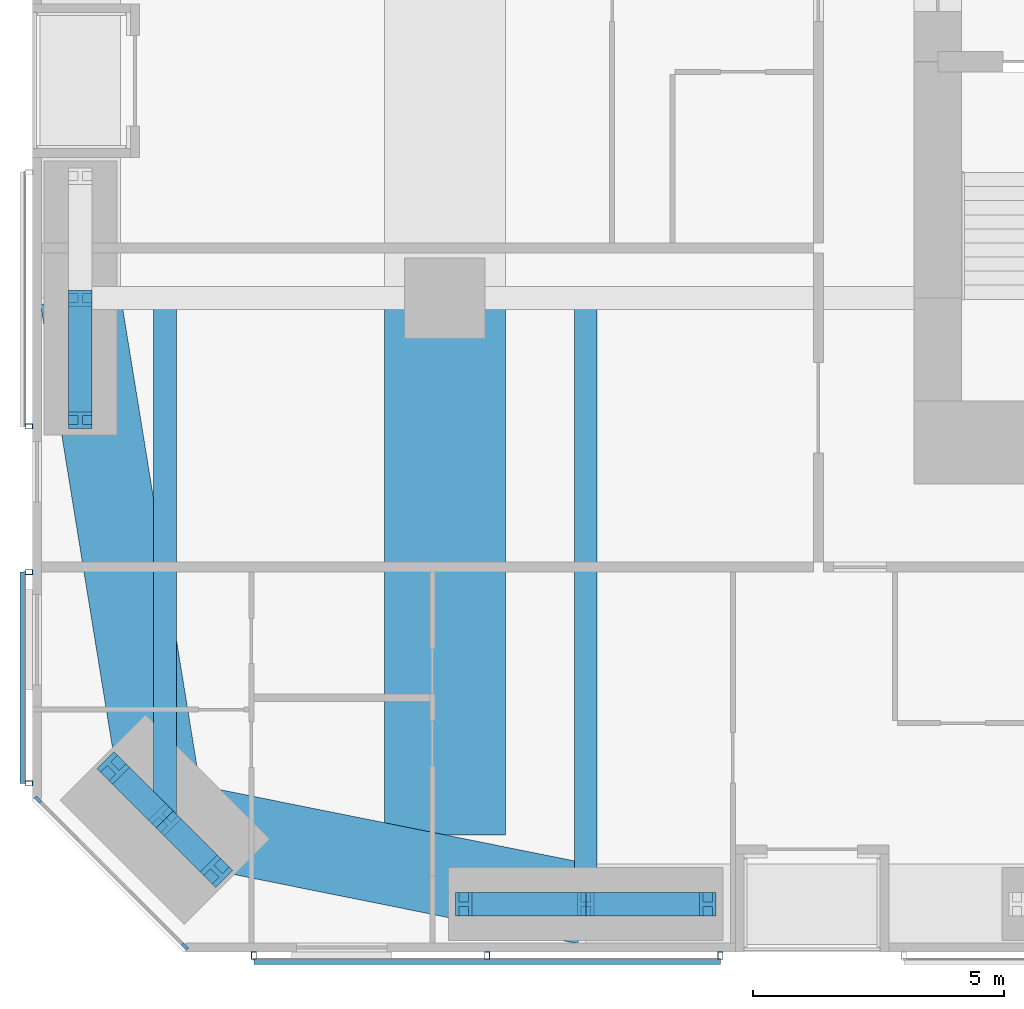
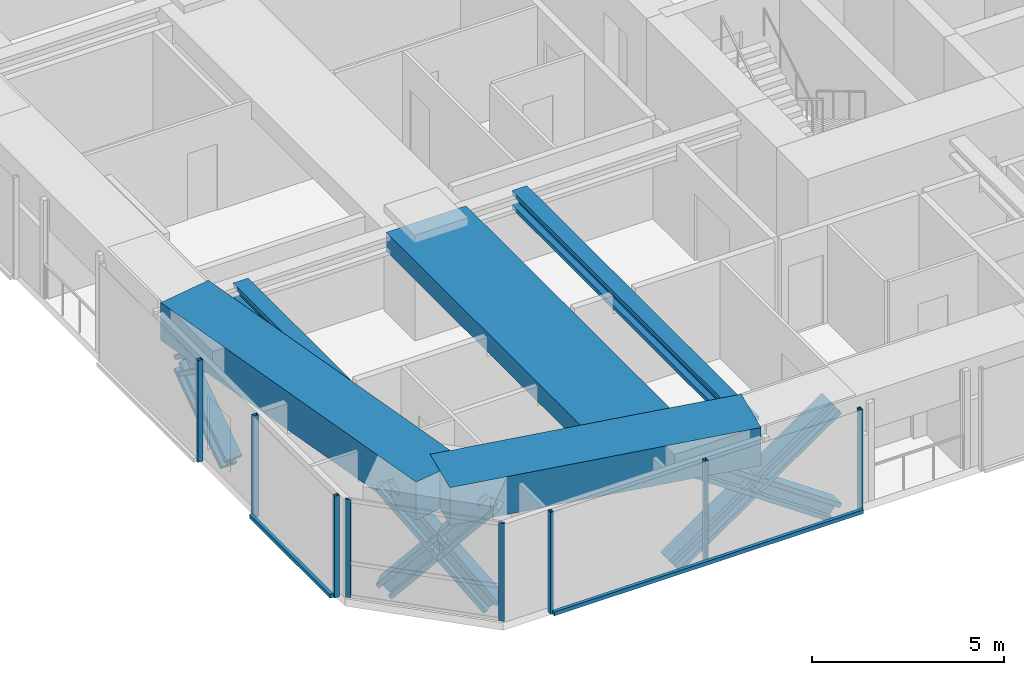
# One storey, part 2 of 23: 20 members, 5 beams, 4 elements without a shape of their own.
"""IFC4 building model written with IfcOpenShell, lengths in metres."""

from ifc_helpers import new_model, si_unit, direction, frame, origin, origin_2d, place, context, subcontext, project, spatial, rectangle, hollow_rectangle, i_section, extrude, material, material_profile, profile_set, type_object, element, aggregate, save


model = new_model("IFC4")

# Units and contexts
model_context = context("Model", 3, precision=1e-05, world=origin(), true_north=direction((0.0, 1.0)))
body_context = subcontext(model_context, "Body", "Model", "MODEL_VIEW")
ifc_project = project(units=[si_unit("LENGTHUNIT", "METRE"), si_unit("AREAUNIT", "SQUARE_METRE"), si_unit("VOLUMEUNIT", "CUBIC_METRE"), si_unit("PLANEANGLEUNIT", "RADIAN"), si_unit("MASSUNIT", "GRAM", prefix="KILO")], contexts=[model_context])

# Site, building, storey
site_placement = place(None, origin())
site = spatial("IfcSite", under=ifc_project, at=site_placement, CompositionType="ELEMENT")
building_placement = place(site_placement, origin())
building = spatial("IfcBuilding", under=site, at=building_placement, Name="Jalousie Tower", CompositionType="ELEMENT")
storey_placement = place(building_placement, frame((0.0, 0.0, 34.39990234375)))
storey = spatial("IfcBuildingStorey", under=building, at=storey_placement, Name="L08", CompositionType="ELEMENT", Elevation=34.39990234375)

# Curtain wall, members
ifc_material_1 = material(Name="Aluminium curtain wall", Category="aluminium")
curtain_wall_type_1 = type_object("IfcCurtainWallType", Name="CORNER WINDOW WALL", PredefinedType="USERDEFINED", material=ifc_material_1)
curtain_wall_1_placement = place(storey_placement, origin())
curtain_wall_1 = element("IfcCurtainWall", 1, at=curtain_wall_1_placement, inside=storey, type_object=curtain_wall_type_1, Name="Corner Window Wall L08 8", ObjectType="CORNER WINDOW WALL", PredefinedType="USERDEFINED")
ifc_material_2 = material(Name="Aluminium mullion", Category="aluminium")
ifc_material_profile_1 = material_profile(ifc_material_2, rectangle(XDim=0.06005859375, YDim=0.14990234375, at=origin_2d()), Name="MULLION 60x150")
ifc_profile_set_1 = profile_set([ifc_material_profile_1], Name="Aluminium mullion")
member_type_1 = type_object("IfcMemberType", Name="CORNER WINDOW WALL MULLION", PredefinedType="MULLION", material=ifc_profile_set_1)
member_1_placement = place(storey_placement, frame((2.108642578125, 3.030029296875, 0.0), z_axis=(0.0, 0.0, 1.0), x_axis=(0.707106781187, 0.707106781187, 0.0)))
member_1 = element("IfcMember", 2, at=member_1_placement, type_object=member_type_1, Name="CW-C mullion 1", PredefinedType="MULLION", context=body_context, shape_type="SweptSolid", body=[
    extrude(rectangle(XDim=0.06005859375, YDim=0.14990234375, at=origin_2d()), origin(), (0.0, 0.0, 1.0), 3.110107421875),
])
member_2_placement = place(storey_placement, frame((5.030029296875, 0.108642578125, 0.0), z_axis=(0.0, 0.0, 1.0), x_axis=(0.707106781187, 0.707106781187, 0.0)))
member_2 = element("IfcMember", 3, at=member_2_placement, type_object=member_type_1, Name="CW-C mullion 2", PredefinedType="MULLION", context=body_context, shape_type="SweptSolid", body=[
    extrude(rectangle(XDim=0.06005859375, YDim=0.14990234375, at=origin_2d()), origin(), (0.0, 0.0, 1.0), 3.110107421875),
])
aggregate(curtain_wall_1, [member_1, member_2])

# Beams
ifc_material_3 = material(Name="Steel ASTM A992 Grade 50", Category="steel")
ifc_material_profile_2 = material_profile(ifc_material_3, i_section(OverallWidth=0.45458984375, OverallDepth=0.569091796875, WebThickness=0.077880859375, FlangeThickness=0.124755859375, at=origin_2d()), Name="W14X730")
ifc_profile_set_2 = profile_set([ifc_material_profile_2], Name="Steel ASTM A992 Grade 50")
beam_type_1 = type_object("IfcBeamType", Name="LEAN COLLECTOR W14X730", PredefinedType="BEAM", material=ifc_profile_set_2)
beam_1_placement = place(storey_placement, frame((4.63134765625, 2.63134765625, 2.82568359375), z_axis=(0.0, 1.0, 0.0), x_axis=(-1.0, 0.0, 0.0)))
element("IfcBeam", 4, at=beam_1_placement, inside=storey, type_object=beam_type_1, Name="Lean collector under L09", PredefinedType="BEAM", context=body_context, shape_type="SweptSolid", body=[
    extrude(i_section(OverallWidth=0.45458984375, OverallDepth=0.569091796875, WebThickness=0.077880859375, FlangeThickness=0.124755859375, at=origin_2d()), origin(), (0.0, 0.0, 1.0), 10.36865234375),
])
beam_2_placement = place(storey_placement, frame((13.0, 0.949951171875, 2.82568359375), z_axis=(0.0, 1.0, 0.0), x_axis=(-1.0, 0.0, 0.0)))
element("IfcBeam", 5, at=beam_2_placement, inside=storey, type_object=beam_type_1, Name="Lean collector under L09", PredefinedType="BEAM", context=body_context, shape_type="SweptSolid", body=[
    extrude(i_section(OverallWidth=0.45458984375, OverallDepth=0.569091796875, WebThickness=0.077880859375, FlangeThickness=0.124755859375, at=origin_2d()), origin(), (0.0, 0.0, 1.0), 12.050048828125),
])

# Members
ifc_material_4 = material(Name="Steel ASTM A992 Grade 50", Category="steel")
ifc_material_profile_3 = material_profile(ifc_material_4, i_section(OverallWidth=0.472412109375, OverallDepth=0.5791015625, WebThickness=0.094970703125, FlangeThickness=0.1298828125, at=origin_2d()), Name="W14X808")
ifc_profile_set_3 = profile_set([ifc_material_profile_3], Name="Steel ASTM A992 Grade 50")
member_type_2 = type_object("IfcMemberType", Name="PERIMETER BRACE W14X808", PredefinedType="BRACE", material=ifc_profile_set_3)
for number, where, z_axis, x_axis, name in (
    (6, (3.606201171875, 3.65673828125, -0.599853515625), (0.462729793854, -0.462839993852, 0.756082189957), (0.707190965575, 0.707022586774, 0.0), "Perimeter brace 01 L08 part 1"),
    (7, (4.63134765625, 2.63134765625, 1.0751953125), (0.462878559809, -0.462768350628, 0.756034981021), (0.707022586774, 0.707190965575, 0.0), "Perimeter brace 01 L08 part 2"),
    (8, (5.65673828125, 1.606201171875, -0.599853515625), (-0.462839993852, 0.462729793854, 0.756082189957), (-0.707022586774, -0.707190965575, 0.0), "Perimeter brace 01 L08 part 3"),
    (9, (4.63134765625, 2.63134765625, 1.0751953125), (-0.462768350628, 0.462878559809, 0.756034981021), (-0.707190965575, -0.707022586774, 0.0), "Perimeter brace 01 L08 part 4"),
):
    element("IfcMember", number, at=place(storey_placement, frame(where, z_axis=z_axis, x_axis=x_axis)), inside=storey, type_object=member_type_2, Name=name, PredefinedType="BRACE", context=body_context, shape_type="SweptSolid", body=[
        extrude(i_section(OverallWidth=0.472412109375, OverallDepth=0.5791015625, WebThickness=0.094970703125, FlangeThickness=0.1298828125, at=origin_2d()), origin(), (0.0, 0.0, 1.0), 2.21533203125),
    ])
for number, where, z_axis, x_axis, name in (
    (10, (10.574951171875, 0.949951171875, -0.599853515625), (0.822800062329, 0.0, 0.568330940062), (0.0, 1.0, 0.0), "Perimeter brace 02 L08 part 1"),
    (11, (13.0, 0.949951171875, 1.0751953125), (0.82283879777, 0.0, 0.568274856811), (0.0, 1.0, 0.0), "Perimeter brace 02 L08 part 2"),
    (12, (15.425048828125, 0.949951171875, -0.599853515625), (-0.822800062329, 0.0, 0.568330940062), (0.0, -1.0, 0.0), "Perimeter brace 02 L08 part 3"),
    (13, (13.0, 0.949951171875, 1.0751953125), (-0.82283879777, 0.0, 0.568274856811), (0.0, -1.0, 0.0), "Perimeter brace 02 L08 part 4"),
    (14, (2.949951171875, 10.574951171875, -0.599853515625), (0.0, 0.822800062329, 0.568330940062), (-1.0, 0.0, 0.0), "Perimeter brace 14 L08 part 1"),
    (15, (2.949951171875, 13.0, 1.0751953125), (0.0, -0.82283879777, 0.568274856811), (1.0, 0.0, 0.0), "Perimeter brace 14 L08 part 4"),
):
    element("IfcMember", number, at=place(storey_placement, frame(where, z_axis=z_axis, x_axis=x_axis)), inside=storey, type_object=member_type_2, Name=name, PredefinedType="BRACE", context=body_context, shape_type="SweptSolid", body=[
        extrude(i_section(OverallWidth=0.472412109375, OverallDepth=0.5791015625, WebThickness=0.094970703125, FlangeThickness=0.1298828125, at=origin_2d()), origin(), (0.0, 0.0, 1.0), 2.947265625),
    ])

# Beams
ifc_material_5 = material(Name="Concrete f'c 40 MPa", Category="concrete")
ifc_material_profile_4 = material_profile(ifc_material_5, rectangle(XDim=1.60009765625, YDim=1.199951171875, at=origin_2d()), Name="RC 1600x1200")
ifc_profile_set_4 = profile_set([ifc_material_profile_4], Name="Concrete f'c 40 MPa")
beam_type_2 = type_object("IfcBeamType", Name="RC BEAM 1600x1200", PredefinedType="BEAM", material=ifc_profile_set_4)
beam_3_placement = place(storey_placement, frame((4.63134765625, 2.63134765625, 2.75), z_axis=(0.980407585444, -0.196979609107, 0.0), x_axis=(0.196979609107, 0.980407585444, 0.0)))
element("IfcBeam", 16, at=beam_3_placement, inside=storey, type_object=beam_type_2, Name="Edge band beam 01-02 under L09", PredefinedType="BEAM", context=body_context, shape_type="SweptSolid", body=[
    extrude(rectangle(XDim=1.60009765625, YDim=1.199951171875, at=origin_2d()), origin(), (0.0, 0.0, 1.0), 8.535888671875),
])
beam_4_placement = place(storey_placement, frame((2.949951171875, 13.0, 2.75), z_axis=(0.160070546476, -0.987105577003, 0.0), x_axis=(0.987105577003, 0.160070546476, 0.0)))
element("IfcBeam", 17, at=beam_4_placement, inside=storey, type_object=beam_type_2, Name="Edge band beam 14-01 under L09", PredefinedType="BEAM", context=body_context, shape_type="SweptSolid", body=[
    extrude(rectangle(XDim=1.60009765625, YDim=1.199951171875, at=origin_2d()), origin(), (0.0, 0.0, 1.0), 10.504150390625),
])
ifc_material_6 = material(Name="Concrete f'c 40 MPa", Category="concrete")
ifc_material_profile_5 = material_profile(ifc_material_6, rectangle(XDim=2.39990234375, YDim=0.60009765625, at=origin_2d()), Name="RC 2400x600")
ifc_profile_set_5 = profile_set([ifc_material_profile_5], Name="Concrete f'c 40 MPa")
beam_type_3 = type_object("IfcBeamType", Name="RC BEAM 2400x600", PredefinedType="BEAM", material=ifc_profile_set_5)
beam_5_placement = place(storey_placement, frame((10.199951171875, 13.0, 2.81005859375), z_axis=(0.0, -1.0, 0.0), x_axis=(1.0, 0.0, 0.0)))
element("IfcBeam", 18, at=beam_5_placement, inside=storey, type_object=beam_type_3, Name="Floor band beam under L09", PredefinedType="BEAM", context=body_context, shape_type="SweptSolid", body=[
    extrude(rectangle(XDim=2.39990234375, YDim=0.60009765625, at=origin_2d()), origin(), (0.0, 0.0, 1.0), 10.67138671875),
])

# Curtain wall, members
ifc_material_7 = material(Name="Perforated aluminium sheet", Category="aluminium")
curtain_wall_type_2 = type_object("IfcCurtainWallType", Name="SOLAR SCREEN SS-1", PredefinedType="USERDEFINED", material=ifc_material_7)
curtain_wall_2_placement = place(storey_placement, origin())
curtain_wall_2 = element("IfcCurtainWall", 19, at=curtain_wall_2_placement, inside=storey, type_object=curtain_wall_type_2, Name="Solar screen L08", ObjectType="SOLAR SCREEN SS-1", PredefinedType="USERDEFINED")
ifc_material_8 = material(Name="Steel ASTM A500 Grade C", Category="steel")
ifc_material_profile_6 = material_profile(ifc_material_8, hollow_rectangle(XDim=0.1015625, YDim=0.15234375, WallThickness=0.00634765625, at=origin_2d()), Name="HSS6X4X1/4")
ifc_profile_set_6 = profile_set([ifc_material_profile_6], Name="Steel ASTM A500 Grade C")
member_type_3 = type_object("IfcMemberType", Name="SOLAR SCREEN SS-1 MULLION", PredefinedType="MULLION", material=ifc_profile_set_6)
member_3_placement = place(storey_placement, frame((6.39990234375, -0.0712890625, -0.119873046875), z_axis=(0.0, 0.0, 1.0), x_axis=(1.0, 0.0, 0.0)))
member_3 = element("IfcMember", 20, at=member_3_placement, type_object=member_type_3, Name="SS1 post 1", PredefinedType="MULLION", context=body_context, shape_type="SweptSolid", body=[
    extrude(hollow_rectangle(XDim=0.1015625, YDim=0.15234375, WallThickness=0.00634765625, at=origin_2d()), origin(), (0.0, 0.0, 1.0), 3.22998046875),
])
member_4_placement = place(storey_placement, frame((11.03759765625, -0.0712890625, -0.119873046875), z_axis=(0.0, 0.0, 1.0), x_axis=(1.0, 0.0, 0.0)))
member_4 = element("IfcMember", 21, at=member_4_placement, type_object=member_type_3, Name="SS1 post 2", PredefinedType="MULLION", context=body_context, shape_type="SweptSolid", body=[
    extrude(hollow_rectangle(XDim=0.1015625, YDim=0.15234375, WallThickness=0.00634765625, at=origin_2d()), origin(), (0.0, 0.0, 1.0), 3.22998046875),
])
member_5_placement = place(storey_placement, frame((15.675048828125, -0.0712890625, -0.119873046875), z_axis=(0.0, 0.0, 1.0), x_axis=(1.0, 0.0, 0.0)))
member_5 = element("IfcMember", 22, at=member_5_placement, type_object=member_type_3, Name="SS1 post 3", PredefinedType="MULLION", context=body_context, shape_type="SweptSolid", body=[
    extrude(hollow_rectangle(XDim=0.1015625, YDim=0.15234375, WallThickness=0.00634765625, at=origin_2d()), origin(), (0.0, 0.0, 1.0), 3.22998046875),
])

# Curtain wall, member
curtain_wall_3_placement = place(storey_placement, origin())
curtain_wall_3 = element("IfcCurtainWall", 23, at=curtain_wall_3_placement, inside=storey, type_object=curtain_wall_type_2, Name="Solar screen L08", ObjectType="SOLAR SCREEN SS-1", PredefinedType="USERDEFINED")
member_6_placement = place(storey_placement, frame((1.9287109375, 10.449951171875, -0.119873046875), z_axis=(0.0, 0.0, 1.0), x_axis=(0.0, -1.0, 0.0)))
member_6 = element("IfcMember", 24, at=member_6_placement, type_object=member_type_3, Name="SS1 post 2", PredefinedType="MULLION", context=body_context, shape_type="SweptSolid", body=[
    extrude(hollow_rectangle(XDim=0.1015625, YDim=0.15234375, WallThickness=0.00634765625, at=origin_2d()), origin(), (0.0, 0.0, 1.0), 3.22998046875),
])
aggregate(curtain_wall_3, [member_6])

# Curtain wall, members
curtain_wall_4_placement = place(storey_placement, origin())
curtain_wall_4 = element("IfcCurtainWall", 25, at=curtain_wall_4_placement, inside=storey, type_object=curtain_wall_type_2, Name="Solar screen L08", ObjectType="SOLAR SCREEN SS-1", PredefinedType="USERDEFINED")
member_7_placement = place(storey_placement, frame((1.9287109375, 7.550048828125, -0.119873046875), z_axis=(0.0, 0.0, 1.0), x_axis=(0.0, -1.0, 0.0)))
member_7 = element("IfcMember", 26, at=member_7_placement, type_object=member_type_3, Name="SS1 post 1", PredefinedType="MULLION", context=body_context, shape_type="SweptSolid", body=[
    extrude(hollow_rectangle(XDim=0.1015625, YDim=0.15234375, WallThickness=0.00634765625, at=origin_2d()), origin(), (0.0, 0.0, 1.0), 3.22998046875),
])
member_8_placement = place(storey_placement, frame((1.9287109375, 3.351318359375, -0.119873046875), z_axis=(0.0, 0.0, 1.0), x_axis=(0.0, -1.0, 0.0)))
member_8 = element("IfcMember", 27, at=member_8_placement, type_object=member_type_3, Name="SS1 post 2", PredefinedType="MULLION", context=body_context, shape_type="SweptSolid", body=[
    extrude(hollow_rectangle(XDim=0.1015625, YDim=0.15234375, WallThickness=0.00634765625, at=origin_2d()), origin(), (0.0, 0.0, 1.0), 3.22998046875),
])

# Member
ifc_material_9 = material(Name="Extruded aluminium screen rail", Category="aluminium")
ifc_material_profile_7 = material_profile(ifc_material_9, rectangle(XDim=0.1015625, YDim=0.1201171875, at=origin_2d()), Name="RAIL 102x120")
ifc_profile_set_7 = profile_set([ifc_material_profile_7], Name="Extruded aluminium screen rail")
member_type_4 = type_object("IfcMemberType", Name="SOLAR SCREEN SS-1 TRANSOM", PredefinedType="USERDEFINED", material=ifc_profile_set_7)
member_9_placement = place(storey_placement, frame((6.39990234375, -0.1982421875, -0.059814453125), z_axis=(1.0, 0.0, 0.0), x_axis=(0.0, 1.0, 0.0)))
member_9 = element("IfcMember", 28, at=member_9_placement, type_object=member_type_4, Name="SS1 rail", ObjectType="TRANSOM", PredefinedType="USERDEFINED", context=body_context, shape_type="SweptSolid", body=[
    extrude(rectangle(XDim=0.1015625, YDim=0.1201171875, at=origin_2d()), origin(), (0.0, 0.0, 1.0), 9.275146484375),
])

aggregate(curtain_wall_2, [member_3, member_4, member_5, member_9])

member_10_placement = place(storey_placement, frame((1.8017578125, 7.550048828125, -0.059814453125), z_axis=(0.0, -1.0, 0.0), x_axis=(1.0, 0.0, 0.0)))
member_10 = element("IfcMember", 29, at=member_10_placement, type_object=member_type_4, Name="SS1 rail", ObjectType="TRANSOM", PredefinedType="USERDEFINED", context=body_context, shape_type="SweptSolid", body=[
    extrude(rectangle(XDim=0.1015625, YDim=0.1201171875, at=origin_2d()), origin(), (0.0, 0.0, 1.0), 4.19873046875),
])

aggregate(curtain_wall_4, [member_7, member_8, member_10])

save(model, "model.ifc")
